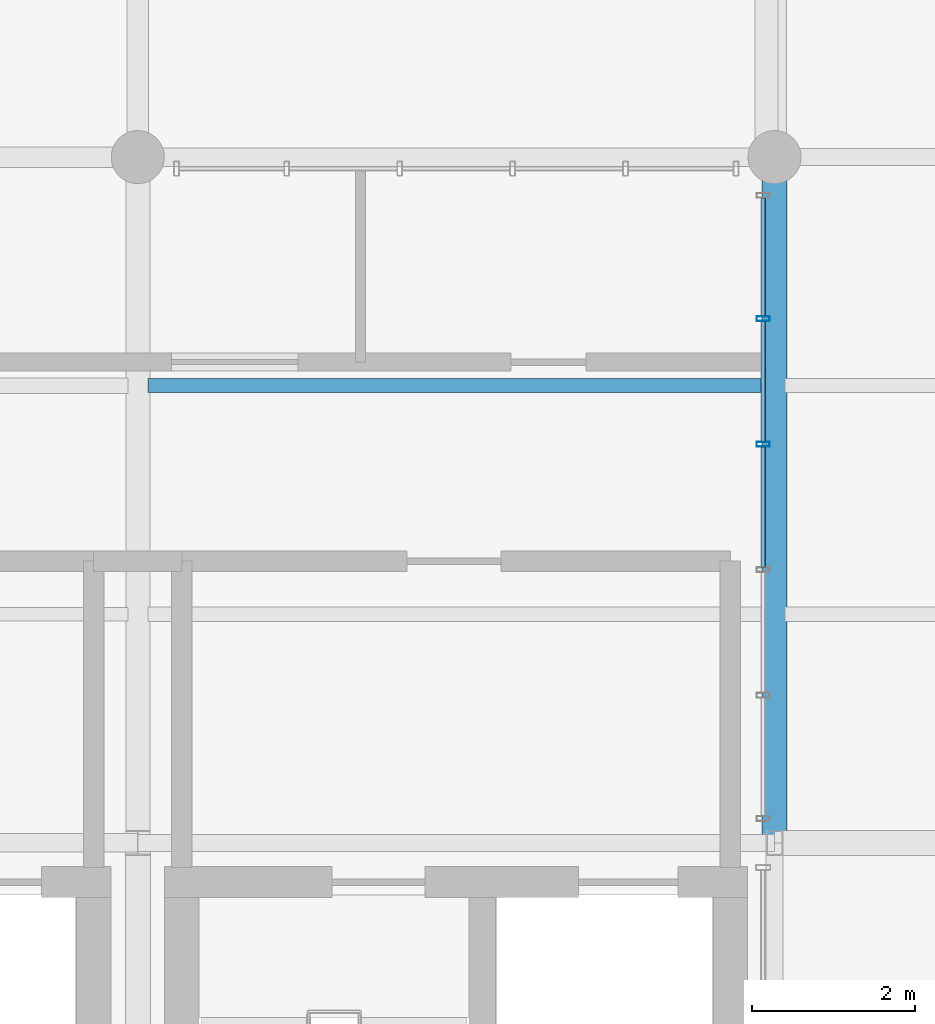
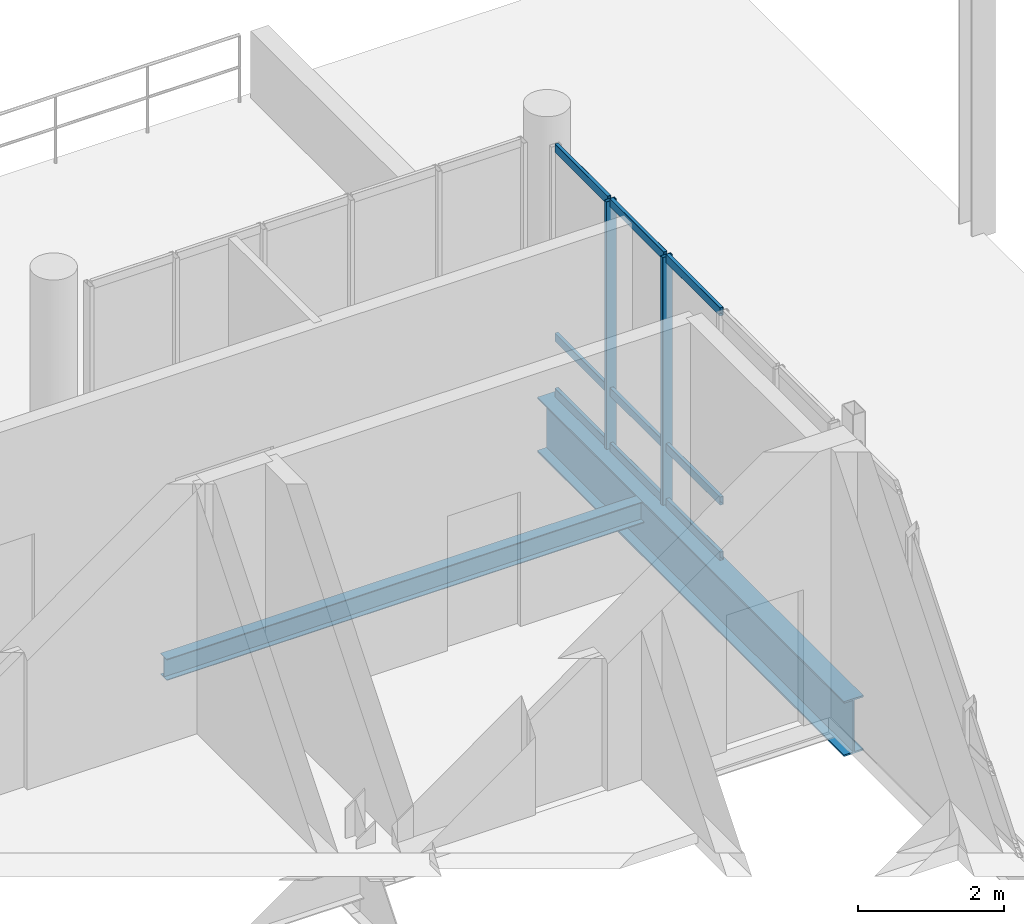
# One storey, part 44 of 66: 11 members, 2 beams, 1 element without a shape of its own.
"""IFC4 building model written with IfcOpenShell, lengths in metres."""

from ifc_helpers import new_model, si_unit, direction, frame, origin_with_axes, origin_2d_with_axis, place, context, subcontext, project, spatial, hollow_rectangle, i_section, extrude, material, material_profile, profile_set, type_object, element, aggregate, save


model = new_model("IFC4")

# Units and contexts
model_context = context("Model", 3, precision=1e-05, world=origin_with_axes(), true_north=direction((0.0, 1.0)))
body_context = subcontext(model_context, "Body", "Model", "MODEL_VIEW")
ifc_project = project(units=[si_unit("LENGTHUNIT", "METRE"), si_unit("AREAUNIT", "SQUARE_METRE"), si_unit("VOLUMEUNIT", "CUBIC_METRE"), si_unit("PLANEANGLEUNIT", "RADIAN"), si_unit("MASSUNIT", "GRAM", prefix="KILO"), si_unit("THERMODYNAMICTEMPERATUREUNIT", "KELVIN")], contexts=[model_context])

# Site, building, storey
site_placement = place(None, origin_with_axes())
site = spatial("IfcSite", under=ifc_project, at=site_placement, CompositionType="ELEMENT")
building_placement = place(site_placement, origin_with_axes())
building = spatial("IfcBuilding", under=site, at=building_placement, Name="Montbau Bow Law Courts", CompositionType="ELEMENT")
storey_placement = place(building_placement, frame((0.0, 0.0, 34.5), z_axis=(0.0, 0.0, 1.0), x_axis=(1.0, 0.0, 0.0)))
storey = spatial("IfcBuildingStorey", under=building, at=storey_placement, Name="L07", CompositionType="ELEMENT", Elevation=34.5)

# Beams
ifc_material_1 = material(Name="Steel CSA G40.21 Grade 350W (350 MPa)", Category="steel")
ifc_material_profile_1 = material_profile(ifc_material_1, i_section(OverallWidth=0.306, OverallDepth=0.919, WebThickness=0.0173, FlangeThickness=0.0279, at=origin_2d_with_axis()), Name="W920X253", Category="Main", Priority=0)
ifc_profile_set_1 = profile_set([ifc_material_profile_1], Name="Steel CSA G40.21 Grade 350W (350 MPa)")
beam_type_1 = type_object("IfcBeamType", Name="B-FLR-01", PredefinedType="BEAM", material=ifc_profile_set_1)
beam_1_placement = place(None, frame((162.6, 94.8, 33.681), z_axis=(0.0, 1.0, 0.0), x_axis=(-1.0, 0.0, 0.0)))
element("IfcBeam", 1, at=beam_1_placement, inside=storey, type_object=beam_type_1, Name="BM-L07-S1372:bm2_1375", PredefinedType="BEAM", context=body_context, shape_type="SweptSolid", body=[
    extrude(i_section(OverallWidth=0.306, OverallDepth=0.919, WebThickness=0.0173, FlangeThickness=0.0279, at=origin_2d_with_axis()), origin_with_axes(), (0.0, 0.0, 1.0), 8.4),
])
ifc_material_profile_2 = material_profile(ifc_material_1, i_section(OverallWidth=0.172, OverallDepth=0.358, WebThickness=0.0079, FlangeThickness=0.0131, at=origin_2d_with_axis()), Name="W360X57", Category="Main", Priority=0)
ifc_profile_set_2 = profile_set([ifc_material_profile_2], Name="Steel CSA G40.21 Grade 350W (350 MPa)")
beam_type_2 = type_object("IfcBeamType", Name="B-JST-03", PredefinedType="JOIST", material=ifc_profile_set_2)
beam_2_placement = place(None, frame((154.923, 100.4, 33.961), z_axis=(1.0, 0.0, 0.0), x_axis=(0.0, 1.0, 0.0)))
element("IfcBeam", 2, at=beam_2_placement, inside=storey, type_object=beam_type_2, Name="JST-L07-S0754:jst2_0754", PredefinedType="JOIST", context=body_context, shape_type="SweptSolid", body=[
    extrude(i_section(OverallWidth=0.172, OverallDepth=0.358, WebThickness=0.0079, FlangeThickness=0.0131, at=origin_2d_with_axis()), origin_with_axes(), (0.0, 0.0, 1.0), 7.548),
])

# Curtain wall, members
ifc_material_2 = material(Name="Thermally Broken Extruded Aluminium AA 6063-T6", Category="aluminium")
curtain_wall_type = type_object("IfcCurtainWallType", Name="CW-NCK-03", PredefinedType="NOTDEFINED", material=ifc_material_2)
curtain_wall_placement = place(None, frame((162.46, 95.067, 34.5), z_axis=(0.0, 0.0, 1.0), x_axis=(1.0, 0.0, 0.0)))
curtain_wall = element("IfcCurtainWall", 3, at=curtain_wall_placement, inside=storey, type_object=curtain_wall_type, Name="CW-L07-371:cw_0371", PredefinedType="NOTDEFINED")
ifc_material_profile_3 = material_profile(ifc_material_2, hollow_rectangle(XDim=0.06, YDim=0.16, WallThickness=0.004, InnerFilletRadius=0.008, OuterFilletRadius=0.004, at=origin_2d_with_axis()), Name="CWM-160X60", Category="Main", Priority=0)
ifc_profile_set_3 = profile_set([ifc_material_profile_3], Name="Thermally Broken Extruded Aluminium AA 6063-T6")
member_type_1 = type_object("IfcMemberType", Name="M-MUL-03", PredefinedType="MULLION", material=ifc_profile_set_3)
member_1_placement = place(None, frame((162.46, 99.683, 34.5), z_axis=(0.0, 0.0, 1.0), x_axis=(0.0, 1.0, 0.0)))
member_1 = element("IfcMember", 4, at=member_1_placement, type_object=member_type_1, Name="CW-L07-371-M04:cw_0371_M04", PredefinedType="MULLION", context=body_context, shape_type="SweptSolid", body=[
    extrude(hollow_rectangle(XDim=0.06, YDim=0.16, WallThickness=0.004, InnerFilletRadius=0.008, OuterFilletRadius=0.004, at=origin_2d_with_axis()), origin_with_axes(), (0.0, 0.0, 1.0), 4.14),
])
member_2_placement = place(None, frame((162.46, 101.221, 34.5), z_axis=(0.0, 0.0, 1.0), x_axis=(0.0, 1.0, 0.0)))
member_2 = element("IfcMember", 5, at=member_2_placement, type_object=member_type_1, Name="CW-L07-371-M05:cw_0371_M05", PredefinedType="MULLION", context=body_context, shape_type="SweptSolid", body=[
    extrude(hollow_rectangle(XDim=0.06, YDim=0.16, WallThickness=0.004, InnerFilletRadius=0.008, OuterFilletRadius=0.004, at=origin_2d_with_axis()), origin_with_axes(), (0.0, 0.0, 1.0), 4.14),
])
ifc_material_profile_4 = material_profile(ifc_material_2, hollow_rectangle(XDim=0.055, YDim=0.14, WallThickness=0.004, InnerFilletRadius=0.008, OuterFilletRadius=0.004, at=origin_2d_with_axis()), Name="CWT-140X55", Category="Main", Priority=0)
ifc_profile_set_4 = profile_set([ifc_material_profile_4], Name="Thermally Broken Extruded Aluminium AA 6063-T6")
member_type_2 = type_object("IfcMemberType", Name="M-TRN-02", PredefinedType="USERDEFINED", material=ifc_profile_set_4)
member_3_placement = place(None, frame((162.46, 98.176, 34.528), z_axis=(0.0, 1.0, 0.0), x_axis=(-1.0, 0.0, 0.0)))
member_3 = element("IfcMember", 6, at=member_3_placement, type_object=member_type_2, Name="CW-L07-371-T03-1:cw_0371_T03_1", ObjectType="TRANSOM", PredefinedType="USERDEFINED", context=body_context, shape_type="SweptSolid", body=[
    extrude(hollow_rectangle(XDim=0.055, YDim=0.14, WallThickness=0.004, InnerFilletRadius=0.008, OuterFilletRadius=0.004, at=origin_2d_with_axis()), origin_with_axes(), (0.0, 0.0, 1.0), 1.475),
])
member_4_placement = place(None, frame((162.46, 98.176, 35.45), z_axis=(0.0, 1.0, 0.0), x_axis=(-1.0, 0.0, 0.0)))
member_4 = element("IfcMember", 7, at=member_4_placement, type_object=member_type_2, Name="CW-L07-371-T03-2:cw_0371_T03_2", ObjectType="TRANSOM", PredefinedType="USERDEFINED", context=body_context, shape_type="SweptSolid", body=[
    extrude(hollow_rectangle(XDim=0.055, YDim=0.14, WallThickness=0.004, InnerFilletRadius=0.008, OuterFilletRadius=0.004, at=origin_2d_with_axis()), origin_with_axes(), (0.0, 0.0, 1.0), 1.475),
])
member_5_placement = place(None, frame((162.46, 98.176, 38.612), z_axis=(0.0, 1.0, 0.0), x_axis=(-1.0, 0.0, 0.0)))
member_5 = element("IfcMember", 8, at=member_5_placement, type_object=member_type_2, Name="CW-L07-371-T03-3:cw_0371_T03_3", ObjectType="TRANSOM", PredefinedType="USERDEFINED", context=body_context, shape_type="SweptSolid", body=[
    extrude(hollow_rectangle(XDim=0.055, YDim=0.14, WallThickness=0.004, InnerFilletRadius=0.008, OuterFilletRadius=0.004, at=origin_2d_with_axis()), origin_with_axes(), (0.0, 0.0, 1.0), 1.475),
])
member_6_placement = place(None, frame((162.46, 99.715, 34.528), z_axis=(0.0, 1.0, 0.0), x_axis=(-1.0, 0.0, 0.0)))
member_6 = element("IfcMember", 9, at=member_6_placement, type_object=member_type_2, Name="CW-L07-371-T04-1:cw_0371_T04_1", ObjectType="TRANSOM", PredefinedType="USERDEFINED", context=body_context, shape_type="SweptSolid", body=[
    extrude(hollow_rectangle(XDim=0.055, YDim=0.14, WallThickness=0.004, InnerFilletRadius=0.008, OuterFilletRadius=0.004, at=origin_2d_with_axis()), origin_with_axes(), (0.0, 0.0, 1.0), 1.474),
])
member_7_placement = place(None, frame((162.46, 99.715, 35.45), z_axis=(0.0, 1.0, 0.0), x_axis=(-1.0, 0.0, 0.0)))
member_7 = element("IfcMember", 10, at=member_7_placement, type_object=member_type_2, Name="CW-L07-371-T04-2:cw_0371_T04_2", ObjectType="TRANSOM", PredefinedType="USERDEFINED", context=body_context, shape_type="SweptSolid", body=[
    extrude(hollow_rectangle(XDim=0.055, YDim=0.14, WallThickness=0.004, InnerFilletRadius=0.008, OuterFilletRadius=0.004, at=origin_2d_with_axis()), origin_with_axes(), (0.0, 0.0, 1.0), 1.474),
])
member_8_placement = place(None, frame((162.46, 99.715, 38.612), z_axis=(0.0, 1.0, 0.0), x_axis=(-1.0, 0.0, 0.0)))
member_8 = element("IfcMember", 11, at=member_8_placement, type_object=member_type_2, Name="CW-L07-371-T04-3:cw_0371_T04_3", ObjectType="TRANSOM", PredefinedType="USERDEFINED", context=body_context, shape_type="SweptSolid", body=[
    extrude(hollow_rectangle(XDim=0.055, YDim=0.14, WallThickness=0.004, InnerFilletRadius=0.008, OuterFilletRadius=0.004, at=origin_2d_with_axis()), origin_with_axes(), (0.0, 0.0, 1.0), 1.474),
])
member_9_placement = place(None, frame((162.46, 101.253, 34.528), z_axis=(0.0, 1.0, 0.0), x_axis=(-1.0, 0.0, 0.0)))
member_9 = element("IfcMember", 12, at=member_9_placement, type_object=member_type_2, Name="CW-L07-371-T05-1:cw_0371_T05_1", ObjectType="TRANSOM", PredefinedType="USERDEFINED", context=body_context, shape_type="SweptSolid", body=[
    extrude(hollow_rectangle(XDim=0.055, YDim=0.14, WallThickness=0.004, InnerFilletRadius=0.008, OuterFilletRadius=0.004, at=origin_2d_with_axis()), origin_with_axes(), (0.0, 0.0, 1.0), 1.445),
])
member_10_placement = place(None, frame((162.46, 101.253, 35.45), z_axis=(0.0, 1.0, 0.0), x_axis=(-1.0, 0.0, 0.0)))
member_10 = element("IfcMember", 13, at=member_10_placement, type_object=member_type_2, Name="CW-L07-371-T05-2:cw_0371_T05_2", ObjectType="TRANSOM", PredefinedType="USERDEFINED", context=body_context, shape_type="SweptSolid", body=[
    extrude(hollow_rectangle(XDim=0.055, YDim=0.14, WallThickness=0.004, InnerFilletRadius=0.008, OuterFilletRadius=0.004, at=origin_2d_with_axis()), origin_with_axes(), (0.0, 0.0, 1.0), 1.445),
])
member_11_placement = place(None, frame((162.46, 101.253, 38.612), z_axis=(0.0, 1.0, 0.0), x_axis=(-1.0, 0.0, 0.0)))
member_11 = element("IfcMember", 14, at=member_11_placement, type_object=member_type_2, Name="CW-L07-371-T05-3:cw_0371_T05_3", ObjectType="TRANSOM", PredefinedType="USERDEFINED", context=body_context, shape_type="SweptSolid", body=[
    extrude(hollow_rectangle(XDim=0.055, YDim=0.14, WallThickness=0.004, InnerFilletRadius=0.008, OuterFilletRadius=0.004, at=origin_2d_with_axis()), origin_with_axes(), (0.0, 0.0, 1.0), 1.445),
])
aggregate(curtain_wall, [member_1, member_2, member_3, member_4, member_5, member_6, member_7, member_8, member_9, member_10, member_11])

save(model, "model.ifc")
